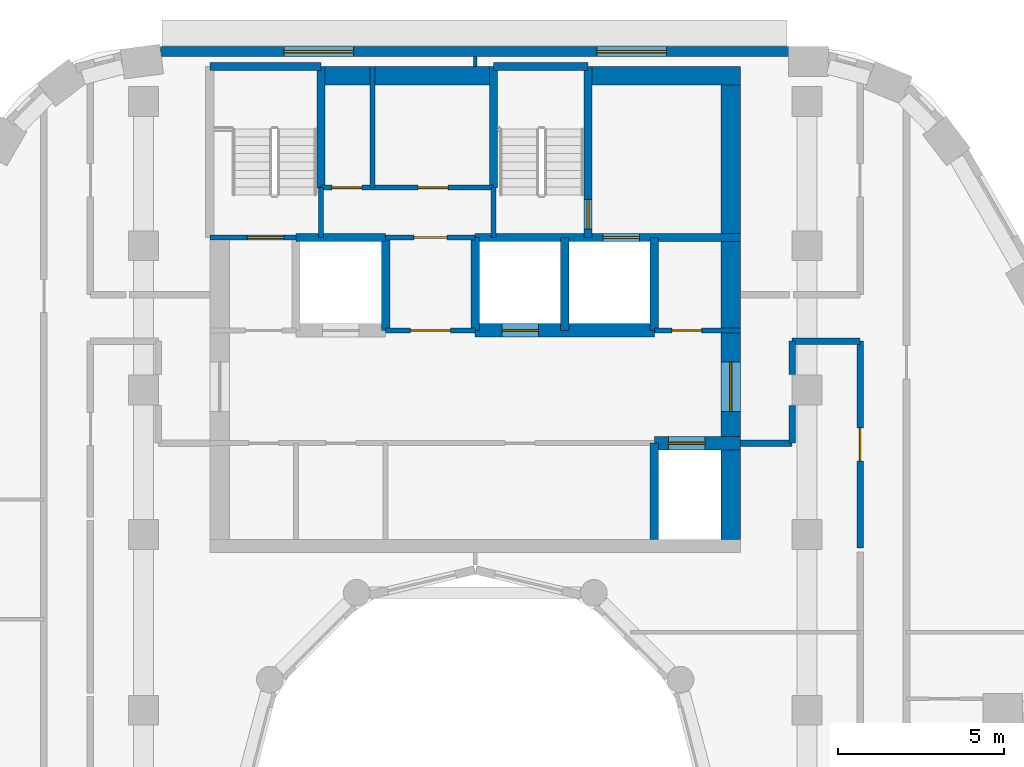
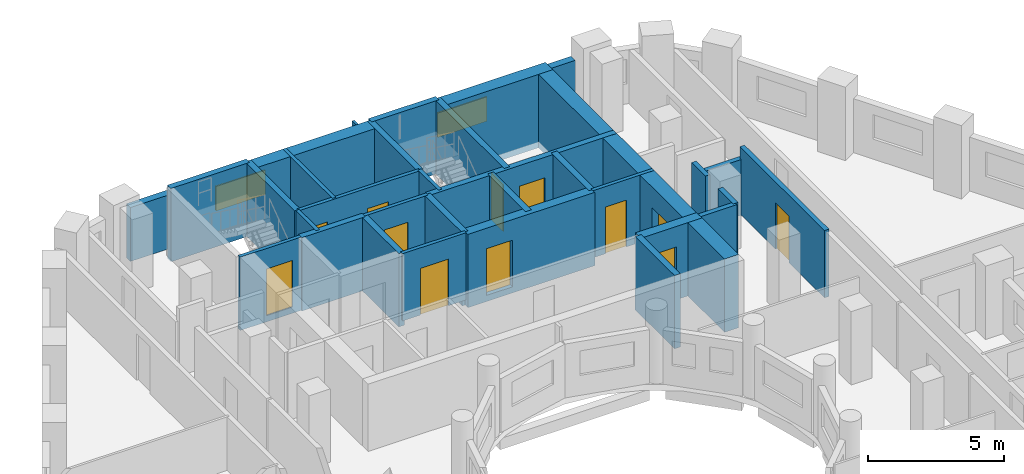
# One storey, part 8 of 15: 32 walls, 12 doors, 2 windows, 14 openings.
"""IFC4 building model written with IfcOpenShell, lengths in metres."""

from ifc_helpers import new_model, si_unit, direction, frame, frame_2d, origin, place, context, subcontext, project, spatial, rectangle, extrude, material, layer, layer_set, type_object, element, fill, save


model = new_model("IFC4")

# Units and contexts
model_context = context("Model", 3, precision=1e-05, world=origin(), true_north=direction((0.0, 1.0)))
body_context = subcontext(model_context, "Body", "Model", "MODEL_VIEW")
ifc_project = project(units=[si_unit("LENGTHUNIT", "METRE"), si_unit("AREAUNIT", "SQUARE_METRE"), si_unit("VOLUMEUNIT", "CUBIC_METRE"), si_unit("PLANEANGLEUNIT", "RADIAN"), si_unit("MASSUNIT", "GRAM", prefix="KILO")], contexts=[model_context])

# Site, building, storey
site_placement = place(None, origin())
site = spatial("IfcSite", under=ifc_project, at=site_placement, CompositionType="ELEMENT")
building_placement = place(site_placement, origin())
building = spatial("IfcBuilding", under=site, at=building_placement, Name="Nakaniwa Court", CompositionType="ELEMENT")
storey_placement = place(building_placement, frame((0.0, 0.0, 186.60009765625)))
storey = spatial("IfcBuildingStorey", under=building, at=storey_placement, Name="L48", CompositionType="ELEMENT", Elevation=186.60009765625)

# Wall, opening, door
ifc_material_1 = material(Name="Acoustic double stud partition")
ifc_layer_1 = layer(ifc_material_1, 0.199951171875)
ifc_layer_set_1 = layer_set([ifc_layer_1], Name="Acoustic double stud partition")
wall_type_1 = type_object("IfcWallType", Name="Acoustic double stud partition 200", PredefinedType="PARTITIONING", material=ifc_layer_set_1)
wall_1_placement = place(storey_placement, frame((91.60009765625, 87.537109375, 0.0), z_axis=(0.0, 0.0, 1.0), x_axis=(0.0, 1.0, 0.0)))
wall_1 = element("IfcWall", 1, at=wall_1_placement, inside=storey, type_object=wall_type_1, Name="Partition PW-072", PredefinedType="PARTITIONING", context=body_context, shape_type="SweptSolid", body=[
    extrude(rectangle(XDim=6.23779296875, YDim=0.199951171875, at=frame_2d((3.118896484375, 0.0))), origin(), (0.0, 0.0, 1.0), 3.02490234375),
])
opening_1_placement = place(wall_1_placement, frame((2.6201171875, 0.0, 0.0)))
opening_1 = element("IfcOpeningElement", 2, at=opening_1_placement, cuts=wall_1, Name="Opening D-02-08", PredefinedType="OPENING", context=body_context, shape_type="SweptSolid", body=[
    extrude(rectangle(XDim=1.0, YDim=2.10009765625, at=frame_2d((0.5, 1.050048828125))), frame((0.0, 0.10986328125, 0.0), z_axis=(0.0, -1.0, 0.0), x_axis=(1.0, 0.0, 0.0)), (0.0, 0.0, 1.0), 0.219970703125),
])
ifc_material_2 = material(Name="Solid core timber door set, black veneer", Category="wood")
door_type_1 = type_object("IfcDoorType", Name="Internal door 1000", OperationType="NOTDEFINED", PredefinedType="DOOR", material=ifc_material_2)
door_1_placement = place(opening_1_placement, origin())
door_1 = element("IfcDoor", 3, at=door_1_placement, inside=storey, type_object=door_type_1, Name="Door D-02-08 L48-048", OperationType="SINGLE_SWING_LEFT", OverallHeight=2.10009765625, OverallWidth=1.0, PredefinedType="DOOR", context=body_context, shape_type="SweptSolid", body=[
    extrude(rectangle(XDim=1.0, YDim=2.10009765625, at=frame_2d((0.5, 1.050048828125))), frame((0.0, 0.02490234375, 0.0), z_axis=(0.0, -1.0, 0.0), x_axis=(1.0, 0.0, 0.0)), (0.0, 0.0, 1.0), 0.050048828125),
])
fill(opening_1, door_1)

# Walls
wall_2_placement = place(storey_placement, frame((89.550048828125, 90.699951171875, 0.0), z_axis=(0.0, 0.0, 1.0), x_axis=(0.0, 1.0, 0.0)))
element("IfcWall", 4, at=wall_2_placement, inside=storey, type_object=wall_type_1, Name="Partition PW-083", PredefinedType="PARTITIONING", context=body_context, shape_type="SweptSolid", body=[
    extrude(rectangle(XDim=1.1328125, YDim=0.199951171875, at=frame_2d((0.56640625, 0.0))), origin(), (0.0, 0.0, 1.0), 3.02490234375),
])
wall_3_placement = place(storey_placement, frame((89.550048828125, 92.76708984375, 0.0), z_axis=(0.0, 0.0, 1.0), x_axis=(0.0, 1.0, 0.0)))
element("IfcWall", 5, at=wall_3_placement, inside=storey, type_object=wall_type_1, Name="Partition PW-084", PredefinedType="PARTITIONING", context=body_context, shape_type="SweptSolid", body=[
    extrude(rectangle(XDim=1.0078125, YDim=0.199951171875, at=frame_2d((0.50390625, 0.0))), origin(), (0.0, 0.0, 1.0), 3.02490234375),
])
wall_4_placement = place(storey_placement, frame((89.550048828125, 93.77490234375, 0.0), z_axis=(0.0, 0.0, 1.0), x_axis=(1.0, 0.0, 0.0)))
element("IfcWall", 6, at=wall_4_placement, inside=storey, type_object=wall_type_1, Name="Partition PW-088", PredefinedType="PARTITIONING", context=body_context, shape_type="SweptSolid", body=[
    extrude(rectangle(XDim=2.050048828125, YDim=0.199951171875, at=frame_2d((1.02490234375, 0.0))), origin(), (0.0, 0.0, 1.0), 2.5048828125),
])
wall_5_placement = place(storey_placement, frame((88.0, 90.699951171875, 0.0), z_axis=(0.0, 0.0, 1.0), x_axis=(1.0, 0.0, 0.0)))
element("IfcWall", 7, at=wall_5_placement, inside=storey, type_object=wall_type_1, Name="Partition PW-090", PredefinedType="PARTITIONING", context=body_context, shape_type="SweptSolid", body=[
    extrude(rectangle(XDim=1.550048828125, YDim=0.199951171875, at=frame_2d((0.77490234375, 0.0))), origin(), (0.0, 0.0, 1.0), 3.02490234375),
])

# Wall, openings, windows
ifc_material_3 = material(Name="Charcoal ceramic cladding")
ifc_layer_2 = layer(ifc_material_3, 0.02, Name="Ceramic cladding")
ifc_material_4 = material(Name="Ventilated air cavity")
ifc_layer_3 = layer(ifc_material_4, 0.04, ventilated=True, Name="Ventilated cavity")
ifc_material_5 = material(Name="Mineral wool insulation")
ifc_layer_4 = layer(ifc_material_5, 0.1, Name="Insulation")
ifc_material_6 = material(Name="Cement bonded sheathing board")
ifc_layer_5 = layer(ifc_material_6, 0.012, Name="Sheathing")
ifc_material_7 = material(Name="Cold-formed galvanised stud frame with mineral wool infill")
ifc_layer_6 = layer(ifc_material_7, 0.1, Name="Stud frame")
ifc_material_8 = material(Name="Fire-rated gypsum plasterboard lining")
ifc_layer_7 = layer(ifc_material_8, 0.028, Name="Lining")
ifc_layer_set_2 = layer_set([ifc_layer_2, ifc_layer_3, ifc_layer_4, ifc_layer_5, ifc_layer_6, ifc_layer_7], Name="Charcoal ceramic faced external wall system")
wall_type_2 = type_object("IfcWallType", Name="Black ceramic faced external wall 300", PredefinedType="SOLIDWALL", material=ifc_layer_set_2)
wall_6_placement = place(storey_placement, frame((89.44921875, 102.5, 0.0), z_axis=(0.0, 0.0, 1.0), x_axis=(-1.0, 0.0, 0.0)))
wall_6 = element("IfcWall", 8, at=wall_6_placement, inside=storey, type_object=wall_type_2, Name="L48 external wall 08", PredefinedType="SOLIDWALL", context=body_context, shape_type="SweptSolid", body=[
    extrude(rectangle(XDim=18.932861328125, YDim=0.300048828125, at=frame_2d((9.46630859375, 0.0))), origin(), (0.0, 0.0, 1.0), 2.4248046875),
])
opening_2_placement = place(wall_6_placement, frame((3.6865234375, 0.0, 0.89990234375)))
opening_2 = element("IfcOpeningElement", 9, at=opening_2_placement, cuts=wall_6, Name="Opening W7.08", PredefinedType="OPENING", context=body_context, shape_type="SweptSolid", body=[
    extrude(rectangle(XDim=2.10009765625, YDim=1.10009765625, at=frame_2d((1.050048828125, 0.550048828125))), frame((0.0, 0.159912109375, 0.0), z_axis=(0.0, -1.0, 0.0), x_axis=(1.0, 0.0, 0.0)), (0.0, 0.0, 1.0), 0.320068359375),
])
opening_3_placement = place(wall_6_placement, frame((13.117919921875, 0.0, 0.89990234375)))
opening_3 = element("IfcOpeningElement", 10, at=opening_3_placement, cuts=wall_6, Name="Opening W7.09", PredefinedType="OPENING", context=body_context, shape_type="SweptSolid", body=[
    extrude(rectangle(XDim=2.10009765625, YDim=1.10009765625, at=frame_2d((1.050048828125, 0.550048828125))), frame((0.0, 0.159912109375, 0.0), z_axis=(0.0, -1.0, 0.0), x_axis=(1.0, 0.0, 0.0)), (0.0, 0.0, 1.0), 0.320068359375),
])
ifc_material_9 = material(Name="Black anodised aluminium frame with dark low-E laminated double glazing", Category="aluminium")
window_type = type_object("IfcWindowType", Name="Dark glass window 2100x1100 sill 900", PartitioningType="SINGLE_PANEL", PredefinedType="WINDOW", material=ifc_material_9)
window_1_placement = place(opening_2_placement, origin())
window_1 = element("IfcWindow", 11, at=window_1_placement, inside=storey, type_object=window_type, Name="L48 habitable room window 08-0", OverallHeight=1.10009765625, OverallWidth=2.10009765625, PartitioningType="SINGLE_PANEL", PredefinedType="WINDOW", context=body_context, shape_type="SweptSolid", body=[
    extrude(rectangle(XDim=2.10009765625, YDim=1.10009765625, at=frame_2d((1.050048828125, 0.550048828125))), frame((0.0, 0.030029296875, 0.0), z_axis=(0.0, -1.0, 0.0), x_axis=(1.0, 0.0, 0.0)), (0.0, 0.0, 1.0), 0.06005859375),
])
fill(opening_2, window_1)
window_2_placement = place(opening_3_placement, origin())
window_2 = element("IfcWindow", 12, at=window_2_placement, inside=storey, type_object=window_type, Name="L48 habitable room window 08-1", OverallHeight=1.10009765625, OverallWidth=2.10009765625, PartitioningType="SINGLE_PANEL", PredefinedType="WINDOW", context=body_context, shape_type="SweptSolid", body=[
    extrude(rectangle(XDim=2.10009765625, YDim=1.10009765625, at=frame_2d((1.050048828125, 0.550048828125))), frame((0.0, 0.030029296875, 0.0), z_axis=(0.0, -1.0, 0.0), x_axis=(1.0, 0.0, 0.0)), (0.0, 0.0, 1.0), 0.06005859375),
])
fill(opening_3, window_2)

# Wall, opening, door
ifc_material_10 = material(Name="Blockwork partition", Category="masonry")
ifc_layer_8 = layer(ifc_material_10, 0.14990234375)
ifc_layer_set_3 = layer_set([ifc_layer_8], Name="Blockwork partition")
wall_type_3 = type_object("IfcWallType", Name="Blockwork partition 150", PredefinedType="PARTITIONING", material=ifc_layer_set_3)
wall_7_placement = place(storey_placement, frame((77.297119140625, 94.10009765625, 0.0), z_axis=(0.0, 0.0, 1.0), x_axis=(1.0, 0.0, 0.0)))
wall_7 = element("IfcWall", 13, at=wall_7_placement, inside=storey, type_object=wall_type_3, Name="Partition PW-010", PredefinedType="PARTITIONING", context=body_context, shape_type="SweptSolid", body=[
    extrude(rectangle(XDim=2.705810546875, YDim=0.14990234375, at=frame_2d((1.35302734375, 0.0))), origin(), (0.0, 0.0, 1.0), 3.02490234375),
])
opening_4_placement = place(wall_7_placement, frame((0.7529296875, 0.0, 0.0)))
opening_4 = element("IfcOpeningElement", 14, at=opening_4_placement, cuts=wall_7, Name="Opening D-06-01", PredefinedType="OPENING", context=body_context, shape_type="SweptSolid", body=[
    extrude(rectangle(XDim=1.199951171875, YDim=2.10009765625, at=frame_2d((0.60009765625, 1.050048828125))), frame((0.0, 0.0849609375, 0.0), z_axis=(0.0, -1.0, 0.0), x_axis=(1.0, 0.0, 0.0)), (0.0, 0.0, 1.0), 0.169921875),
])
ifc_material_11 = material(Name="Fire rated steel double door set", Category="steel")
door_type_2 = type_object("IfcDoorType", Name="Service passage double door 1200", OperationType="NOTDEFINED", PredefinedType="DOOR", material=ifc_material_11)
door_2_placement = place(opening_4_placement, origin())
door_2 = element("IfcDoor", 15, at=door_2_placement, inside=storey, type_object=door_type_2, Name="Door D-06-01 L48-005", OperationType="DOUBLE_DOOR_SINGLE_SWING", OverallHeight=2.10009765625, OverallWidth=1.199951171875, PredefinedType="DOOR", context=body_context, shape_type="SweptSolid", body=[
    extrude(rectangle(XDim=1.199951171875, YDim=2.10009765625, at=frame_2d((0.60009765625, 1.050048828125))), frame((0.0, 0.02490234375, 0.0), z_axis=(0.0, -1.0, 0.0), x_axis=(1.0, 0.0, 0.0)), (0.0, 0.0, 1.0), 0.050048828125),
])
fill(opening_4, door_2)

wall_8_placement = place(storey_placement, frame((85.39697265625, 94.10009765625, 0.0), z_axis=(0.0, 0.0, 1.0), x_axis=(1.0, 0.0, 0.0)))
wall_8 = element("IfcWall", 16, at=wall_8_placement, inside=storey, type_object=wall_type_3, Name="Partition PW-011", PredefinedType="PARTITIONING", context=body_context, shape_type="SweptSolid", body=[
    extrude(rectangle(XDim=2.60302734375, YDim=0.14990234375, at=frame_2d((1.301513671875, 0.0))), origin(), (0.0, 0.0, 1.0), 3.02490234375),
])
opening_5_placement = place(wall_8_placement, frame((0.528076171875, 0.0, 0.0)))
opening_5 = element("IfcOpeningElement", 17, at=opening_5_placement, cuts=wall_8, Name="Opening D-05-04", PredefinedType="OPENING", context=body_context, shape_type="SweptSolid", body=[
    extrude(rectangle(XDim=0.89990234375, YDim=2.10009765625, at=frame_2d((0.449951171875, 1.050048828125))), frame((0.0, 0.0849609375, 0.0), z_axis=(0.0, -1.0, 0.0), x_axis=(1.0, 0.0, 0.0)), (0.0, 0.0, 1.0), 0.169921875),
])
ifc_material_12 = material(Name="Fire rated steel door set", Category="steel")
door_type_3 = type_object("IfcDoorType", Name="Service room door 900", OperationType="NOTDEFINED", PredefinedType="DOOR", material=ifc_material_12)
door_3_placement = place(opening_5_placement, origin())
door_3 = element("IfcDoor", 18, at=door_3_placement, inside=storey, type_object=door_type_3, Name="Door D-05-04 L48-006", OperationType="SINGLE_SWING_LEFT", OverallHeight=2.10009765625, OverallWidth=0.89990234375, PredefinedType="DOOR", context=body_context, shape_type="SweptSolid", body=[
    extrude(rectangle(XDim=0.89990234375, YDim=2.10009765625, at=frame_2d((0.449951171875, 1.050048828125))), frame((0.0, 0.02490234375, 0.0), z_axis=(0.0, -1.0, 0.0), x_axis=(1.0, 0.0, 0.0)), (0.0, 0.0, 1.0), 0.050048828125),
])
fill(opening_5, door_3)

wall_9_placement = place(storey_placement, frame((77.300048828125, 96.89990234375, 0.0), z_axis=(0.0, 0.0, 1.0), x_axis=(1.0, 0.0, 0.0)))
wall_9 = element("IfcWall", 19, at=wall_9_placement, inside=storey, type_object=wall_type_3, Name="Partition PW-020", PredefinedType="PARTITIONING", context=body_context, shape_type="SweptSolid", body=[
    extrude(rectangle(XDim=2.699951171875, YDim=0.14990234375, at=frame_2d((1.35009765625, 0.0))), origin(), (0.0, 0.0, 1.0), 3.02490234375),
])
opening_6_placement = place(wall_9_placement, frame((0.85009765625, 0.0, 0.0)))
opening_6 = element("IfcOpeningElement", 20, at=opening_6_placement, cuts=wall_9, Name="Opening D-23-01", PredefinedType="OPENING", context=body_context, shape_type="SweptSolid", body=[
    extrude(rectangle(XDim=1.0, YDim=2.10009765625, at=frame_2d((0.5, 1.050048828125))), frame((0.0, 0.0849609375, 0.0), z_axis=(0.0, -1.0, 0.0), x_axis=(1.0, 0.0, 0.0)), (0.0, 0.0, 1.0), 0.169921875),
])
door_type_4 = type_object("IfcDoorType", Name="Service room door 1000", OperationType="NOTDEFINED", PredefinedType="DOOR", material=ifc_material_12)
door_4_placement = place(opening_6_placement, origin())
door_4 = element("IfcDoor", 21, at=door_4_placement, inside=storey, type_object=door_type_4, Name="Door D-23-01 L48-007", OperationType="SINGLE_SWING_RIGHT", OverallHeight=2.10009765625, OverallWidth=1.0, PredefinedType="DOOR", context=body_context, shape_type="SweptSolid", body=[
    extrude(rectangle(XDim=1.0, YDim=2.10009765625, at=frame_2d((0.5, 1.050048828125))), frame((0.0, 0.02490234375, 0.0), z_axis=(0.0, -1.0, 0.0), x_axis=(1.0, 0.0, 0.0)), (0.0, 0.0, 1.0), 0.050048828125),
])
fill(opening_6, door_4)

# Wall, openings, doors
wall_10_placement = place(storey_placement, frame((75.35009765625, 98.39990234375, 0.0), z_axis=(0.0, 0.0, 1.0), x_axis=(1.0, 0.0, 0.0)))
wall_10 = element("IfcWall", 22, at=wall_10_placement, inside=storey, type_object=wall_type_3, Name="Partition PW-032", PredefinedType="PARTITIONING", context=body_context, shape_type="SweptSolid", body=[
    extrude(rectangle(XDim=5.199951171875, YDim=0.14990234375, at=frame_2d((2.60009765625, 0.0))), origin(), (0.0, 0.0, 1.0), 3.02490234375),
])
opening_7_placement = place(wall_10_placement, frame((0.330078125, 0.0, 0.0)))
opening_7 = element("IfcOpeningElement", 23, at=opening_7_placement, cuts=wall_10, Name="Opening D-05-05", PredefinedType="OPENING", context=body_context, shape_type="SweptSolid", body=[
    extrude(rectangle(XDim=0.89990234375, YDim=2.10009765625, at=frame_2d((0.449951171875, 1.050048828125))), frame((0.0, 0.0849609375, 0.0), z_axis=(0.0, -1.0, 0.0), x_axis=(1.0, 0.0, 0.0)), (0.0, 0.0, 1.0), 0.169921875),
])
opening_8_placement = place(wall_10_placement, frame((2.929931640625, 0.0, 0.0)))
opening_8 = element("IfcOpeningElement", 24, at=opening_8_placement, cuts=wall_10, Name="Opening D-05-06", PredefinedType="OPENING", context=body_context, shape_type="SweptSolid", body=[
    extrude(rectangle(XDim=0.89990234375, YDim=2.10009765625, at=frame_2d((0.449951171875, 1.050048828125))), frame((0.0, 0.0849609375, 0.0), z_axis=(0.0, -1.0, 0.0), x_axis=(1.0, 0.0, 0.0)), (0.0, 0.0, 1.0), 0.169921875),
])
door_5_placement = place(opening_7_placement, origin())
door_5 = element("IfcDoor", 25, at=door_5_placement, inside=storey, type_object=door_type_3, Name="Door D-05-05 L48-008", OperationType="SINGLE_SWING_LEFT", OverallHeight=2.10009765625, OverallWidth=0.89990234375, PredefinedType="DOOR", context=body_context, shape_type="SweptSolid", body=[
    extrude(rectangle(XDim=0.89990234375, YDim=2.10009765625, at=frame_2d((0.449951171875, 1.050048828125))), frame((0.0, 0.02490234375, 0.0), z_axis=(0.0, -1.0, 0.0), x_axis=(1.0, 0.0, 0.0)), (0.0, 0.0, 1.0), 0.050048828125),
])
fill(opening_7, door_5)
door_6_placement = place(opening_8_placement, origin())
door_6 = element("IfcDoor", 26, at=door_6_placement, inside=storey, type_object=door_type_3, Name="Door D-05-06 L48-009", OperationType="SINGLE_SWING_RIGHT", OverallHeight=2.10009765625, OverallWidth=0.89990234375, PredefinedType="DOOR", context=body_context, shape_type="SweptSolid", body=[
    extrude(rectangle(XDim=0.89990234375, YDim=2.10009765625, at=frame_2d((0.449951171875, 1.050048828125))), frame((0.0, 0.02490234375, 0.0), z_axis=(0.0, -1.0, 0.0), x_axis=(1.0, 0.0, 0.0)), (0.0, 0.0, 1.0), 0.050048828125),
])
fill(opening_8, door_6)

# Wall
wall_11_placement = place(storey_placement, frame((76.909912109375, 98.39990234375, 0.0), z_axis=(0.0, 0.0, 1.0), x_axis=(0.0, 1.0, 0.0)))
element("IfcWall", 27, at=wall_11_placement, inside=storey, type_object=wall_type_3, Name="Partition PW-033", PredefinedType="PARTITIONING", context=body_context, shape_type="SweptSolid", body=[
    extrude(rectangle(XDim=3.650146484375, YDim=0.14990234375, at=frame_2d((1.8251953125, 0.0))), origin(), (0.0, 0.0, 1.0), 3.02490234375),
])

# Wall, opening, door
ifc_material_13 = material(Name="Concrete C80/100", Category="concrete")
ifc_layer_9 = layer(ifc_material_13, 0.60009765625)
ifc_layer_set_4 = layer_set([ifc_layer_9], Name="Concrete C80/100")
wall_type_4 = type_object("IfcWallType", Name="Concrete core side wall 600 C80", PredefinedType="SHEAR", material=ifc_layer_set_4)
wall_12_placement = place(storey_placement, frame((87.699951171875, 102.050048828125, -0.275146484375), z_axis=(0.0, 0.0, 1.0), x_axis=(0.0, -1.0, 0.0)))
wall_12 = element("IfcWall", 28, at=wall_12_placement, inside=storey, type_object=wall_type_4, Name="Core wall SW-07", PredefinedType="SHEAR", context=body_context, shape_type="SweptSolid", body=[
    extrude(rectangle(XDim=14.25, YDim=0.60009765625, at=frame_2d((7.125, 0.0))), origin(), (0.0, 0.0, 1.0), 3.300048828125),
])
opening_9_placement = place(wall_12_placement, frame((8.89794921875, 0.0, 0.27490234375)))
opening_9 = element("IfcOpeningElement", 29, at=opening_9_placement, cuts=wall_12, Name="Opening D-07-01", PredefinedType="OPENING", context=body_context, shape_type="SweptSolid", body=[
    extrude(rectangle(XDim=1.5, YDim=2.10009765625, at=frame_2d((0.75, 1.050048828125))), frame((0.0, 0.31005859375, 0.0), z_axis=(0.0, -1.0, 0.0), x_axis=(1.0, 0.0, 0.0)), (0.0, 0.0, 1.0), 0.6201171875),
])
ifc_material_14 = material(Name="Glazed fire rated steel double door set", Category="steel")
door_type_5 = type_object("IfcDoorType", Name="Lobby double door 1500", OperationType="NOTDEFINED", PredefinedType="DOOR", material=ifc_material_14)
door_7_placement = place(opening_9_placement, origin())
door_7 = element("IfcDoor", 30, at=door_7_placement, inside=storey, type_object=door_type_5, Name="Door D-07-01 L48-052", OperationType="DOUBLE_DOOR_SINGLE_SWING", OverallHeight=2.10009765625, OverallWidth=1.5, PredefinedType="DOOR", context=body_context, shape_type="SweptSolid", body=[
    extrude(rectangle(XDim=1.5, YDim=2.10009765625, at=frame_2d((0.75, 1.050048828125))), frame((0.0, 0.02490234375, 0.0), z_axis=(0.0, -1.0, 0.0), x_axis=(1.0, 0.0, 0.0)), (0.0, 0.0, 1.0), 0.050048828125),
])
fill(opening_9, door_7)

ifc_layer_10 = layer(ifc_material_13, 0.39990234375)
ifc_layer_set_5 = layer_set([ifc_layer_10], Name="Concrete C80/100")
wall_type_5 = type_object("IfcWallType", Name="Concrete core spine wall 400 C80", PredefinedType="SHEAR", material=ifc_layer_set_5)
wall_13_placement = place(storey_placement, frame((85.39990234375, 90.699951171875, -0.275146484375), z_axis=(0.0, 0.0, 1.0), x_axis=(1.0, 0.0, 0.0)))
wall_13 = element("IfcWall", 31, at=wall_13_placement, inside=storey, type_object=wall_type_5, Name="Core wall SW-06", PredefinedType="SHEAR", context=body_context, shape_type="SweptSolid", body=[
    extrude(rectangle(XDim=2.60009765625, YDim=0.39990234375, at=frame_2d((1.300048828125, 0.0))), origin(), (0.0, 0.0, 1.0), 3.300048828125),
])
opening_10_placement = place(wall_13_placement, frame((0.425048828125, 0.0, 0.27490234375)))
opening_10 = element("IfcOpeningElement", 32, at=opening_10_placement, cuts=wall_13, Name="Opening LD01", PredefinedType="OPENING", context=body_context, shape_type="SweptSolid", body=[
    extrude(rectangle(XDim=1.10009765625, YDim=2.10009765625, at=frame_2d((0.550048828125, 1.050048828125))), frame((0.0, 0.2099609375, 0.0), z_axis=(0.0, -1.0, 0.0), x_axis=(1.0, 0.0, 0.0)), (0.0, 0.0, 1.0), 0.419921875),
])
ifc_material_15 = material(Name="Stainless steel sliding lift landing door", Category="steel")
door_type_6 = type_object("IfcDoorType", Name="Lift landing door 1100", OperationType="NOTDEFINED", PredefinedType="DOOR", material=ifc_material_15)
door_8_placement = place(opening_10_placement, origin())
door_8 = element("IfcDoor", 33, at=door_8_placement, inside=storey, type_object=door_type_6, Name="Lift landing door LD01 L48-001", OperationType="SLIDING_TO_LEFT", OverallHeight=2.10009765625, OverallWidth=1.10009765625, PredefinedType="DOOR", context=body_context, shape_type="SweptSolid", body=[
    extrude(rectangle(XDim=1.10009765625, YDim=2.10009765625, at=frame_2d((0.550048828125, 1.050048828125))), frame((0.0, 0.02490234375, 0.0), z_axis=(0.0, -1.0, 0.0), x_axis=(1.0, 0.0, 0.0)), (0.0, 0.0, 1.0), 0.050048828125),
])
fill(opening_10, door_8)

wall_14_placement = place(storey_placement, frame((79.9970703125, 94.10009765625, -0.275146484375), z_axis=(0.0, 0.0, 1.0), x_axis=(1.0, 0.0, 0.0)))
wall_14 = element("IfcWall", 34, at=wall_14_placement, inside=storey, type_object=wall_type_5, Name="Core wall SW-13", PredefinedType="SHEAR", context=body_context, shape_type="SweptSolid", body=[
    extrude(rectangle(XDim=5.406005859375, YDim=0.39990234375, at=frame_2d((2.703125, 0.0))), origin(), (0.0, 0.0, 1.0), 3.300048828125),
])
opening_11_placement = place(wall_14_placement, frame((0.802978515625, 0.0, 0.27490234375)))
opening_11 = element("IfcOpeningElement", 35, at=opening_11_placement, cuts=wall_14, Name="Opening LD03", PredefinedType="OPENING", context=body_context, shape_type="SweptSolid", body=[
    extrude(rectangle(XDim=1.10009765625, YDim=2.10009765625, at=frame_2d((0.550048828125, 1.050048828125))), frame((0.0, 0.2099609375, 0.0), z_axis=(0.0, -1.0, 0.0), x_axis=(1.0, 0.0, 0.0)), (0.0, 0.0, 1.0), 0.419921875),
])
door_9_placement = place(opening_11_placement, origin())
door_9 = element("IfcDoor", 36, at=door_9_placement, inside=storey, type_object=door_type_6, Name="Lift landing door LD03 L48-003", OperationType="SLIDING_TO_LEFT", OverallHeight=2.10009765625, OverallWidth=1.10009765625, PredefinedType="DOOR", context=body_context, shape_type="SweptSolid", body=[
    extrude(rectangle(XDim=1.10009765625, YDim=2.10009765625, at=frame_2d((0.550048828125, 1.050048828125))), frame((0.0, 0.02490234375, 0.0), z_axis=(0.0, -1.0, 0.0), x_axis=(1.0, 0.0, 0.0)), (0.0, 0.0, 1.0), 0.050048828125),
])
fill(opening_11, door_9)

ifc_layer_11 = layer(ifc_material_13, 0.14990234375)
ifc_layer_set_6 = layer_set([ifc_layer_11], Name="Concrete C80/100")
wall_type_6 = type_object("IfcWallType", Name="Concrete core wall 150 C80", PredefinedType="SHEAR", material=ifc_layer_set_6)
wall_15_placement = place(storey_placement, frame((74.60009765625, 96.89990234375, -0.275146484375), z_axis=(0.0, 0.0, 1.0), x_axis=(-1.0, 0.0, 0.0)))
wall_15 = element("IfcWall", 37, at=wall_15_placement, inside=storey, type_object=wall_type_6, Name="Core wall SW-15", PredefinedType="SHEAR", context=body_context, shape_type="SweptSolid", body=[
    extrude(rectangle(XDim=2.60009765625, YDim=0.14990234375, at=frame_2d((1.300048828125, 0.0))), origin(), (0.0, 0.0, 1.0), 3.300048828125),
])
opening_12_placement = place(wall_15_placement, frame((0.3701171875, 0.0, 0.27490234375)))
opening_12 = element("IfcOpeningElement", 38, at=opening_12_placement, cuts=wall_15, Name="Opening D-09-01", PredefinedType="OPENING", context=body_context, shape_type="SweptSolid", body=[
    extrude(rectangle(XDim=1.10009765625, YDim=2.10009765625, at=frame_2d((0.550048828125, 1.050048828125))), frame((0.0, 0.0849609375, 0.0), z_axis=(0.0, -1.0, 0.0), x_axis=(1.0, 0.0, 0.0)), (0.0, 0.0, 1.0), 0.169921875),
])
door_type_7 = type_object("IfcDoorType", Name="Stair door 1100", OperationType="NOTDEFINED", PredefinedType="DOOR", material=ifc_material_12)
door_10_placement = place(opening_12_placement, origin())
door_10 = element("IfcDoor", 39, at=door_10_placement, inside=storey, type_object=door_type_7, Name="Door D-09-01 L48-010", OperationType="SINGLE_SWING_RIGHT", OverallHeight=2.10009765625, OverallWidth=1.10009765625, PredefinedType="DOOR", context=body_context, shape_type="SweptSolid", body=[
    extrude(rectangle(XDim=1.10009765625, YDim=2.10009765625, at=frame_2d((0.550048828125, 1.050048828125))), frame((0.0, 0.02490234375, 0.0), z_axis=(0.0, -1.0, 0.0), x_axis=(1.0, 0.0, 0.0)), (0.0, 0.0, 1.0), 0.050048828125),
])
fill(opening_12, door_10)

# Walls
for number, where, z_axis, x_axis, name in (
    (40, (75.35009765625, 96.89990234375, -0.275146484375), (0.0, 0.0, 1.0), (0.0, 1.0, 0.0), "Core wall SW-22"),
    (41, (80.550048828125, 96.89990234375, -0.275146484375), (0.0, 0.0, 1.0), (0.0, 1.0, 0.0), "Core wall SW-28"),
):
    element("IfcWall", number, at=place(storey_placement, frame(where, z_axis=z_axis, x_axis=x_axis)), inside=storey, type_object=wall_type_6, Name=name, PredefinedType="SHEAR", context=body_context, shape_type="SweptSolid", body=[
        extrude(rectangle(XDim=1.503173828125, YDim=0.14990234375, at=frame_2d((0.75146484375, 0.0))), origin(), (0.0, 0.0, 1.0), 3.300048828125),
    ])
ifc_layer_12 = layer(ifc_material_13, 0.25)
ifc_layer_set_7 = layer_set([ifc_layer_12], Name="Concrete C80/100")
wall_type_7 = type_object("IfcWallType", Name="Concrete core wall 250 C80", PredefinedType="SHEAR", material=ifc_layer_set_7)
wall_16_placement = place(storey_placement, frame((72.0, 102.050048828125, -0.275146484375), z_axis=(0.0, 0.0, 1.0), x_axis=(1.0, 0.0, 0.0)))
element("IfcWall", 42, at=wall_16_placement, inside=storey, type_object=wall_type_7, Name="Core wall SW-24", PredefinedType="SHEAR", context=body_context, shape_type="SweptSolid", body=[
    extrude(rectangle(XDim=3.35009765625, YDim=0.25, at=frame_2d((1.675048828125, 0.0))), origin(), (0.0, 0.0, 1.0), 3.300048828125),
])
wall_17_placement = place(storey_placement, frame((80.550048828125, 102.050048828125, -0.275146484375), z_axis=(0.0, 0.0, 1.0), x_axis=(1.0, 0.0, 0.0)))
element("IfcWall", 43, at=wall_17_placement, inside=storey, type_object=wall_type_7, Name="Core wall SW-25", PredefinedType="SHEAR", context=body_context, shape_type="SweptSolid", body=[
    extrude(rectangle(XDim=2.849853515625, YDim=0.25, at=frame_2d((1.4248046875, 0.0))), origin(), (0.0, 0.0, 1.0), 3.300048828125),
])
ifc_layer_13 = layer(ifc_material_13, 0.550048828125)
ifc_layer_set_8 = layer_set([ifc_layer_13], Name="Concrete C80/100")
wall_type_8 = type_object("IfcWallType", Name="Concrete core wall 550 C80", PredefinedType="SHEAR", material=ifc_layer_set_8)
wall_18_placement = place(storey_placement, frame((75.35009765625, 101.77490234375, -0.275146484375), z_axis=(0.0, 0.0, 1.0), x_axis=(1.0, 0.0, 0.0)))
element("IfcWall", 44, at=wall_18_placement, inside=storey, type_object=wall_type_8, Name="Core wall SW-30", PredefinedType="SHEAR", context=body_context, shape_type="SweptSolid", body=[
    extrude(rectangle(XDim=5.199951171875, YDim=0.550048828125, at=frame_2d((2.60009765625, 0.0))), origin(), (0.0, 0.0, 1.0), 3.300048828125),
])
wall_19_placement = place(storey_placement, frame((83.39990234375, 101.77490234375, -0.275146484375), z_axis=(0.0, 0.0, 1.0), x_axis=(1.0, 0.0, 0.0)))
element("IfcWall", 45, at=wall_19_placement, inside=storey, type_object=wall_type_8, Name="Core wall SW-31", PredefinedType="SHEAR", context=body_context, shape_type="SweptSolid", body=[
    extrude(rectangle(XDim=4.60009765625, YDim=0.550048828125, at=frame_2d((2.300048828125, 0.0))), origin(), (0.0, 0.0, 1.0), 3.300048828125),
])
ifc_layer_14 = layer(ifc_material_13, 0.25)
ifc_layer_set_9 = layer_set([ifc_layer_14], Name="Concrete C80/100")
wall_type_9 = type_object("IfcWallType", Name="Concrete shaft wall 250 C80", PredefinedType="SHEAR", material=ifc_layer_set_9)
wall_20_placement = place(storey_placement, frame((85.39990234375, 87.800048828125, -0.275146484375), z_axis=(0.0, 0.0, 1.0), x_axis=(0.0, 1.0, 0.0)))
element("IfcWall", 46, at=wall_20_placement, inside=storey, type_object=wall_type_9, Name="Core wall SW-04", PredefinedType="SHEAR", context=body_context, shape_type="SweptSolid", body=[
    extrude(rectangle(XDim=2.89990234375, YDim=0.25, at=frame_2d((1.449951171875, 0.0))), origin(), (0.0, 0.0, 1.0), 3.300048828125),
])
for number, where, z_axis, x_axis, name in (
    (47, (85.39990234375, 94.10009765625, -0.275146484375), (0.0, 0.0, 1.0), (0.0, 1.0, 0.0), "Core wall SW-05"),
    (48, (77.300048828125, 94.10009765625, -0.275146484375), (0.0, 0.0, 1.0), (0.0, 1.0, 0.0), "Core wall SW-16"),
):
    element("IfcWall", number, at=place(storey_placement, frame(where, z_axis=z_axis, x_axis=x_axis)), inside=storey, type_object=wall_type_9, Name=name, PredefinedType="SHEAR", context=body_context, shape_type="SweptSolid", body=[
        extrude(rectangle(XDim=2.7998046875, YDim=0.25, at=frame_2d((1.39990234375, 0.0))), origin(), (0.0, 0.0, 1.0), 3.300048828125),
    ])
wall_21_placement = place(storey_placement, frame((74.60009765625, 96.89990234375, -0.275146484375), z_axis=(0.0, 0.0, 1.0), x_axis=(1.0, 0.0, 0.0)))
element("IfcWall", 49, at=wall_21_placement, inside=storey, type_object=wall_type_9, Name="Core wall SW-17", PredefinedType="SHEAR", context=body_context, shape_type="SweptSolid", body=[
    extrude(rectangle(XDim=2.699951171875, YDim=0.25, at=frame_2d((1.35009765625, 0.0))), origin(), (0.0, 0.0, 1.0), 3.300048828125),
])

# Wall, opening, door
wall_22_placement = place(storey_placement, frame((80.0, 96.89990234375, -0.275146484375), z_axis=(0.0, 0.0, 1.0), x_axis=(1.0, 0.0, 0.0)))
wall_22 = element("IfcWall", 50, at=wall_22_placement, inside=storey, type_object=wall_type_9, Name="Core wall SW-18", PredefinedType="SHEAR", context=body_context, shape_type="SweptSolid", body=[
    extrude(rectangle(XDim=8.0, YDim=0.25, at=frame_2d((4.0, 0.0))), origin(), (0.0, 0.0, 1.0), 3.300048828125),
])
opening_13_placement = place(wall_22_placement, frame((3.84912109375, 0.0, 0.27490234375)))
opening_13 = element("IfcOpeningElement", 51, at=opening_13_placement, cuts=wall_22, Name="Opening LD04", PredefinedType="OPENING", context=body_context, shape_type="SweptSolid", body=[
    extrude(rectangle(XDim=1.10009765625, YDim=2.10009765625, at=frame_2d((0.550048828125, 1.050048828125))), frame((0.0, 0.135009765625, 0.0), z_axis=(0.0, -1.0, 0.0), x_axis=(1.0, 0.0, 0.0)), (0.0, 0.0, 1.0), 0.27001953125),
])
door_11_placement = place(opening_13_placement, origin())
door_11 = element("IfcDoor", 52, at=door_11_placement, inside=storey, type_object=door_type_6, Name="Lift landing door LD04 L48-004", OperationType="SLIDING_TO_LEFT", OverallHeight=2.10009765625, OverallWidth=1.10009765625, PredefinedType="DOOR", context=body_context, shape_type="SweptSolid", body=[
    extrude(rectangle(XDim=1.10009765625, YDim=2.10009765625, at=frame_2d((0.550048828125, 1.050048828125))), frame((0.0, 0.02490234375, 0.0), z_axis=(0.0, -1.0, 0.0), x_axis=(1.0, 0.0, 0.0)), (0.0, 0.0, 1.0), 0.050048828125),
])
fill(opening_13, door_11)

# Walls
for number, where, z_axis, x_axis, name in (
    (53, (80.0, 94.10009765625, -0.275146484375), (0.0, 0.0, 1.0), (0.0, 1.0, 0.0), "Core wall SW-19"),
    (54, (82.699951171875, 94.10009765625, -0.275146484375), (0.0, 0.0, 1.0), (0.0, 1.0, 0.0), "Core wall SW-21"),
):
    element("IfcWall", number, at=place(storey_placement, frame(where, z_axis=z_axis, x_axis=x_axis)), inside=storey, type_object=wall_type_9, Name=name, PredefinedType="SHEAR", context=body_context, shape_type="SweptSolid", body=[
        extrude(rectangle(XDim=2.7998046875, YDim=0.25, at=frame_2d((1.39990234375, 0.0))), origin(), (0.0, 0.0, 1.0), 3.300048828125),
    ])
wall_23_placement = place(storey_placement, frame((75.35009765625, 98.39697265625, -0.275146484375), z_axis=(0.0, 0.0, 1.0), x_axis=(0.0, 1.0, 0.0)))
element("IfcWall", 55, at=wall_23_placement, inside=storey, type_object=wall_type_9, Name="Core wall SW-23", PredefinedType="SHEAR", context=body_context, shape_type="SweptSolid", body=[
    extrude(rectangle(XDim=3.653076171875, YDim=0.25, at=frame_2d((1.82666015625, 0.0))), origin(), (0.0, 0.0, 1.0), 3.300048828125),
])

# Wall, opening, door
wall_24_placement = place(storey_placement, frame((83.39990234375, 102.050048828125, -0.275146484375), z_axis=(0.0, 0.0, 1.0), x_axis=(0.0, -1.0, 0.0)))
wall_24 = element("IfcWall", 56, at=wall_24_placement, inside=storey, type_object=wall_type_9, Name="Core wall SW-27", PredefinedType="SHEAR", context=body_context, shape_type="SweptSolid", body=[
    extrude(rectangle(XDim=5.150146484375, YDim=0.25, at=frame_2d((2.5751953125, 0.0))), origin(), (0.0, 0.0, 1.0), 3.300048828125),
])
opening_14_placement = place(wall_24_placement, frame((4.0, 0.0, 0.27490234375)))
opening_14 = element("IfcOpeningElement", 57, at=opening_14_placement, cuts=wall_24, Name="Opening D-11-01", PredefinedType="OPENING", context=body_context, shape_type="SweptSolid", body=[
    extrude(rectangle(XDim=0.89990234375, YDim=2.10009765625, at=frame_2d((0.449951171875, 1.050048828125))), frame((0.0, 0.135009765625, 0.0), z_axis=(0.0, -1.0, 0.0), x_axis=(1.0, 0.0, 0.0)), (0.0, 0.0, 1.0), 0.27001953125),
])
door_type_8 = type_object("IfcDoorType", Name="Stair door 900", OperationType="NOTDEFINED", PredefinedType="DOOR", material=ifc_material_12)
door_12_placement = place(opening_14_placement, origin())
door_12 = element("IfcDoor", 58, at=door_12_placement, inside=storey, type_object=door_type_8, Name="Door D-11-01 L48-011", OperationType="SINGLE_SWING_LEFT", OverallHeight=2.10009765625, OverallWidth=0.89990234375, PredefinedType="DOOR", context=body_context, shape_type="SweptSolid", body=[
    extrude(rectangle(XDim=0.89990234375, YDim=2.10009765625, at=frame_2d((0.449951171875, 1.050048828125))), frame((0.0, 0.02490234375, 0.0), z_axis=(0.0, -1.0, 0.0), x_axis=(1.0, 0.0, 0.0)), (0.0, 0.0, 1.0), 0.050048828125),
])
fill(opening_14, door_12)

# Walls
wall_25_placement = place(storey_placement, frame((80.550048828125, 98.39697265625, -0.275146484375), z_axis=(0.0, 0.0, 1.0), x_axis=(0.0, 1.0, 0.0)))
element("IfcWall", 59, at=wall_25_placement, inside=storey, type_object=wall_type_9, Name="Core wall SW-29", PredefinedType="SHEAR", context=body_context, shape_type="SweptSolid", body=[
    extrude(rectangle(XDim=3.653076171875, YDim=0.25, at=frame_2d((1.82666015625, 0.0))), origin(), (0.0, 0.0, 1.0), 3.300048828125),
])
ifc_material_16 = material(Name="Single stud plasterboard partition")
ifc_layer_15 = layer(ifc_material_16, 0.10009765625)
ifc_layer_set_10 = layer_set([ifc_layer_15], Name="Single stud plasterboard partition")
wall_type_10 = type_object("IfcWallType", Name="Single stud plasterboard partition 100", PredefinedType="PARTITIONING", material=ifc_layer_set_10)
wall_26_placement = place(storey_placement, frame((80.0, 102.050048828125, 0.0), z_axis=(0.0, 0.0, 1.0), x_axis=(0.0, 1.0, 0.0)))
element("IfcWall", 60, at=wall_26_placement, inside=storey, type_object=wall_type_10, Name="Partition PW-110", PredefinedType="PARTITIONING", context=body_context, shape_type="SweptSolid", body=[
    extrude(rectangle(XDim=0.300048828125, YDim=0.10009765625, at=frame_2d((0.14990234375, 0.0))), origin(), (0.0, 0.0, 1.0), 3.02490234375),
])

save(model, "model.ifc")
